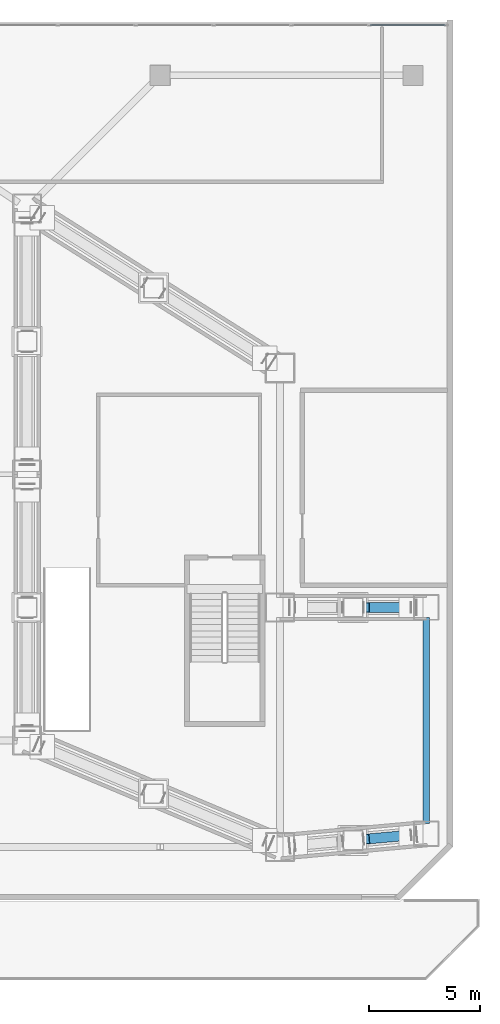
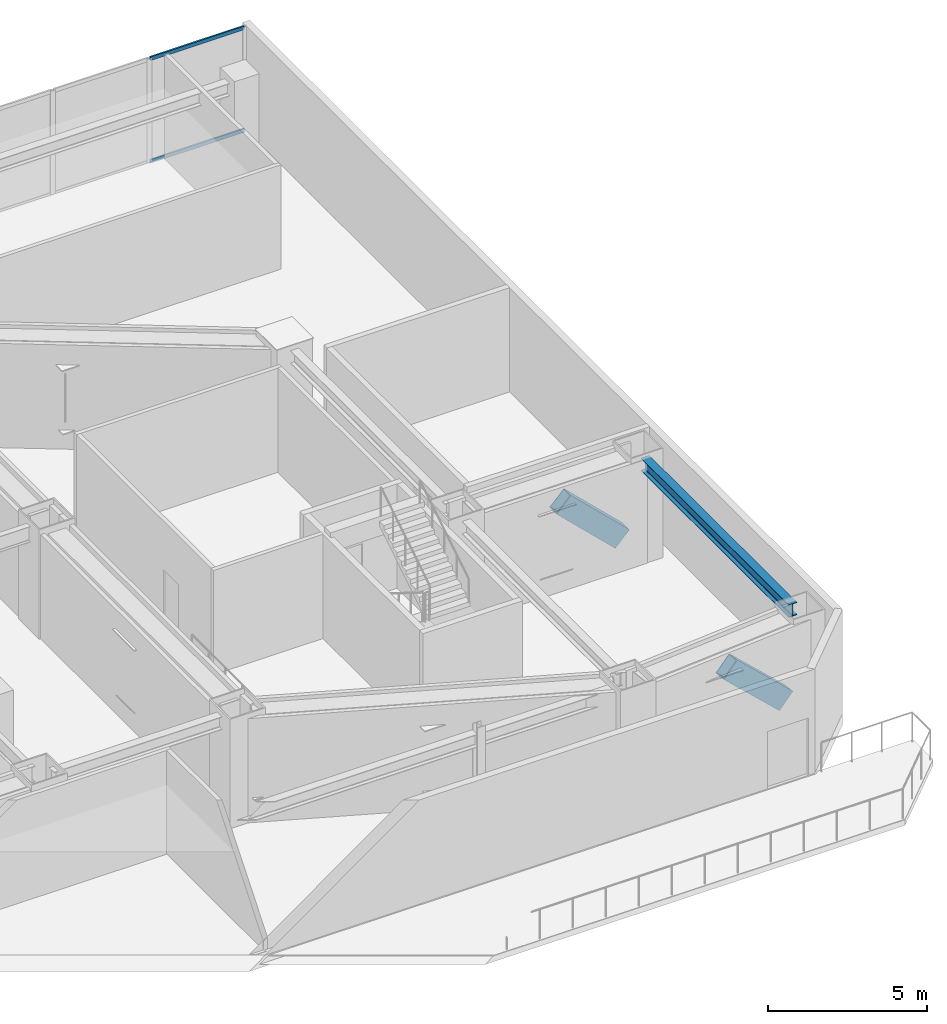
# One storey, part 18 of 39: 4 members, 1 beam, 1 element without a shape of its own.
"""IFC4 building model written with IfcOpenShell, lengths in metres."""

from ifc_helpers import new_model, si_unit, direction, frame, origin, origin_2d, place, context, subcontext, project, spatial, hollow_rectangle, i_section, extrude, material, layer, layer_set, material_profile, profile_set, type_object, element, aggregate, save


model = new_model("IFC4")

# Units and contexts
model_context = context("Model", 3, precision=1e-05, world=origin(), true_north=direction((0.0, 1.0)))
body_context = subcontext(model_context, "Body", "Model", "MODEL_VIEW")
ifc_project = project(units=[si_unit("LENGTHUNIT", "METRE"), si_unit("AREAUNIT", "SQUARE_METRE"), si_unit("VOLUMEUNIT", "CUBIC_METRE"), si_unit("PLANEANGLEUNIT", "RADIAN"), si_unit("MASSUNIT", "GRAM", prefix="KILO")], contexts=[model_context])

# Site, building, storey
site_placement = place(None, origin())
site = spatial("IfcSite", under=ifc_project, at=site_placement, CompositionType="ELEMENT")
building_placement = place(site_placement, origin())
building = spatial("IfcBuilding", under=site, at=building_placement, Name="Haolan Belvedere Tower", CompositionType="ELEMENT")
storey_placement = place(building_placement, frame((0.0, 0.0, 19.800048828125)))
storey = spatial("IfcBuildingStorey", under=building, at=storey_placement, Name="L04", CompositionType="ELEMENT", Elevation=19.800048828125)

# Beam
ifc_material_1 = material(Name="Steel Q355B", Category="steel")
ifc_material_profile_1 = material_profile(ifc_material_1, i_section(OverallWidth=0.300048828125, OverallDepth=0.488037109375, WebThickness=0.010986328125, FlangeThickness=0.01806640625, FilletRadius=0.02587890625, at=origin_2d()), Name="Steel Q355B")
ifc_profile_set_1 = profile_set([ifc_material_profile_1], Name="Steel Q355B")
beam_type = type_object("IfcBeamType", Name="BM-HM488x300x11x18", PredefinedType="SPANDREL", material=ifc_profile_set_1)
beam_placement = place(storey_placement, frame((70.800048828125, 17.85009765625, 3.755859375), z_axis=(0.0, 1.0, 0.0), x_axis=(-1.0, 0.0, 0.0)))
element("IfcBeam", 1, at=beam_placement, inside=storey, type_object=beam_type, Name="L04 spandrel girder MC-T5-SE-MC-T5-NE", PredefinedType="SPANDREL", context=body_context, shape_type="SweptSolid", body=[
    extrude(i_section(OverallWidth=0.300048828125, OverallDepth=0.488037109375, WebThickness=0.010986328125, FlangeThickness=0.01806640625, FilletRadius=0.02587890625, at=origin_2d()), origin(), (0.0, 0.0, 1.0), 9.2998046875),
])

# Curtain wall, members
ifc_material_2 = material(Name="Anodised champagne-silver aluminium 6063-T6 and Low-E glass", Category="aluminium")
ifc_layer = layer(ifc_material_2, 0.179931640625, Name="Anodised champagne-silver aluminium 6063-T6 and Low-E glass")
ifc_layer_set = layer_set([ifc_layer], Name="Anodised champagne-silver aluminium 6063-T6 and Low-E glass")
curtain_wall_type = type_object("IfcCurtainWallType", Name="CW-SYS-01", PredefinedType="NOTDEFINED", material=ifc_layer_set)
curtain_wall_placement = place(storey_placement, origin())
curtain_wall = element("IfcCurtainWall", 2, at=curtain_wall_placement, inside=storey, type_object=curtain_wall_type, Name="L04 CW-SYS-01 ribbon curtain wall 3.1", PredefinedType="NOTDEFINED")
ifc_material_3 = material(Name="Anodised aluminium 6063-T6", Category="aluminium")
ifc_material_profile_2 = material_profile(ifc_material_3, hollow_rectangle(XDim=0.06005859375, YDim=0.139892578125, WallThickness=0.00390625, at=origin_2d()), Name="Anodised aluminium 6063-T6")
ifc_profile_set_2 = profile_set([ifc_material_profile_2], Name="Anodised aluminium 6063-T6")
member_type_1 = type_object("IfcMemberType", Name="CW-SYS-01-TRN", PredefinedType="USERDEFINED", material=ifc_profile_set_2)
member_1_placement = place(storey_placement, frame((71.6650390625, 53.8701171875, 0.030029296875), z_axis=(-1.0, 0.0, 0.0), x_axis=(0.0, -1.0, 0.0)))
member_1 = element("IfcMember", 3, at=member_1_placement, type_object=member_type_1, Name="CW-01 transom 1.1", ObjectType="TRANSOM", PredefinedType="USERDEFINED", context=body_context, shape_type="SweptSolid", body=[
    extrude(hollow_rectangle(XDim=0.06005859375, YDim=0.139892578125, WallThickness=0.00390625, at=origin_2d()), origin(), (0.0, 0.0, 1.0), 3.410888671875),
])
member_2_placement = place(storey_placement, frame((71.6650390625, 53.8701171875, 3.969970703125), z_axis=(-1.0, 0.0, 0.0), x_axis=(0.0, -1.0, 0.0)))
member_2 = element("IfcMember", 4, at=member_2_placement, type_object=member_type_1, Name="CW-01 transom 1.2", ObjectType="TRANSOM", PredefinedType="USERDEFINED", context=body_context, shape_type="SweptSolid", body=[
    extrude(hollow_rectangle(XDim=0.06005859375, YDim=0.139892578125, WallThickness=0.00390625, at=origin_2d()), origin(), (0.0, 0.0, 1.0), 3.410888671875),
])
aggregate(curtain_wall, [member_1, member_2])

# Members
ifc_material_4 = material(Name="Steel Q390GJC", Category="steel")
ifc_material_profile_3 = material_profile(ifc_material_4, hollow_rectangle(XDim=0.449951171875, YDim=0.75, WallThickness=0.028076171875, at=origin_2d()), Name="Steel Q390GJC")
ifc_profile_set_3 = profile_set([ifc_material_profile_3], Name="Steel Q390GJC")
member_type_2 = type_object("IfcMemberType", Name="MEM-BOX750x450x28", PredefinedType="BRACE", material=ifc_profile_set_3)
member_3_placement = place(storey_placement, frame((70.110107421875, 17.33740234375, 0.93994140625), z_axis=(-0.717616519875, -0.065245335713, 0.693375494642), x_axis=(0.090546028136, -0.995892271678, 0.0)))
element("IfcMember", 5, at=member_3_placement, inside=storey, type_object=member_type_2, Name="L04 transfer truss TT-T5-S web diagonal 2", PredefinedType="BRACE", context=body_context, shape_type="SweptSolid", body=[
    extrude(hollow_rectangle(XDim=0.449951171875, YDim=0.75, WallThickness=0.028076171875, at=origin_2d()), origin(), (0.0, 0.0, 1.0), 2.970947265625),
])
member_4_placement = place(storey_placement, frame((70.110107421875, 27.60009765625, 0.93994140625), z_axis=(-0.718830538926, 0.0, 0.695185339537), x_axis=(0.0, -1.0, 0.0)))
element("IfcMember", 6, at=member_4_placement, inside=storey, type_object=member_type_2, Name="L04 transfer truss TT-T5-N web diagonal 2", PredefinedType="BRACE", context=body_context, shape_type="SweptSolid", body=[
    extrude(hollow_rectangle(XDim=0.449951171875, YDim=0.75, WallThickness=0.028076171875, at=origin_2d()), origin(), (0.0, 0.0, 1.0), 2.96337890625),
])

save(model, "model.ifc")
